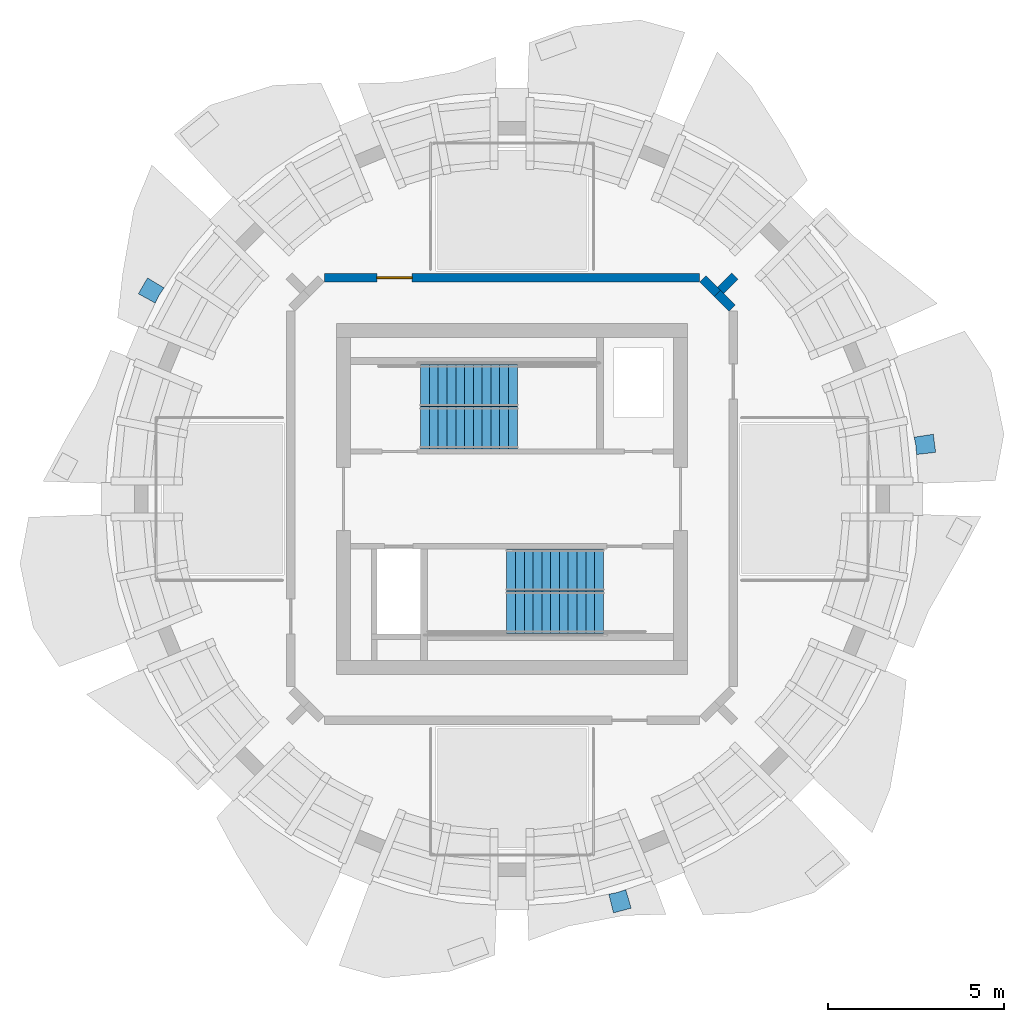
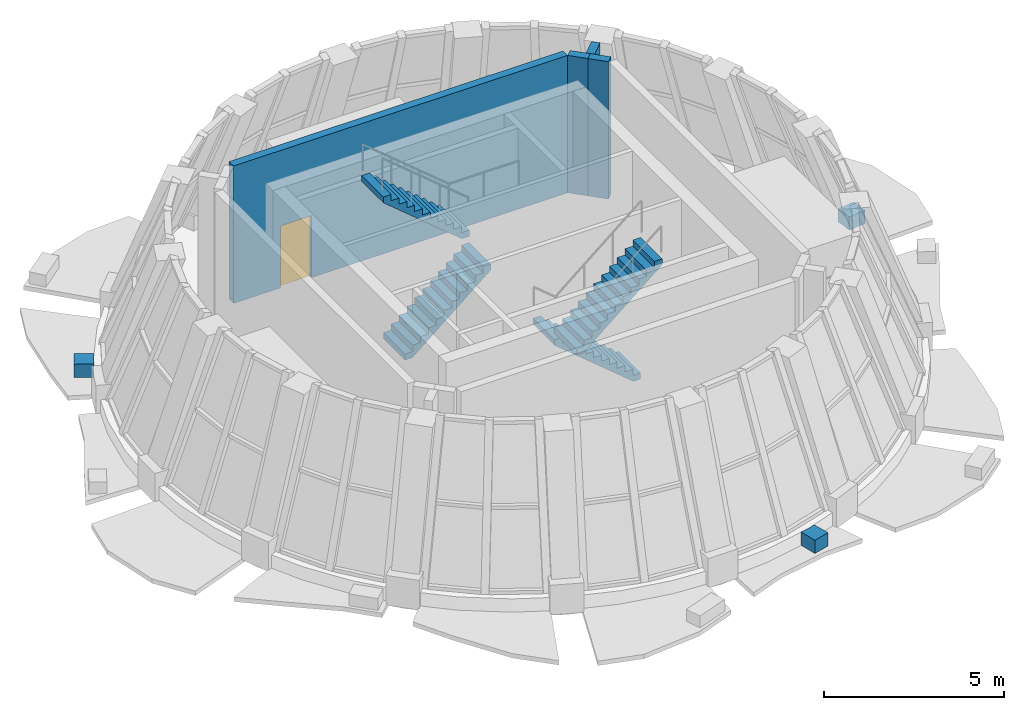
# One storey, part 6 of 9: 4 stair flights, 4 walls, 3 discrete accessories, 1 door, 1 opening, 2 elements without a shape of their own.
"""IFC4 building model written with IfcOpenShell, lengths in metres."""

import ifcopenshell
import ifcopenshell.guid

model = None  # the IFC model being written
_history = None  # IfcOwnerHistory: only IFC2X3 demands one
_inside = {}  # id of a spatial element -> (the spatial element, [elements in it])
_under = {}  # id of a project, library or spatial element -> (it, [spatial elements below it])
_declared = {}  # id of a project -> (the project, [libraries it declares])
_typed = {}  # id of a type object -> (the type object, [elements of that type])
_made_of = {}  # id of a material, layer set ... -> (it, [elements and type objects made of it])


def new_model(schema):
    """Start an empty IFC model of exactly this schema.

    Asked for "IFC4X3", IfcOpenShell would pick the latest addendum, in which some entities
    have other attributes; the version numbers below select the first issue.
    IFC2X3 requires an IfcOwnerHistory on every rooted entity: one is made here for all.
    """
    global model, _history
    if schema == "IFC4X3":
        model = ifcopenshell.file(schema_version=(4, 3, 0, 0))
    else:
        model = ifcopenshell.file(schema=schema)
    _inside.clear()
    _under.clear()
    _declared.clear()
    _typed.clear()
    _made_of.clear()
    _history = None
    if model.schema == "IFC2X3":
        org = make("IfcOrganization", Name="unknown")
        user = make(
            "IfcPersonAndOrganization",
            ThePerson=make("IfcPerson", FamilyName="unknown"),
            TheOrganization=org,
        )
        app = make(
            "IfcApplication",
            ApplicationDeveloper=org,
            Version="unknown",
            ApplicationFullName="unknown",
            ApplicationIdentifier="unknown",
        )
        _history = make(
            "IfcOwnerHistory",
            OwningUser=user,
            OwningApplication=app,
            ChangeAction="ADDED",
            CreationDate=0,
        )
    return model


def make(cls, **values):
    """One entity of the class cls with the attributes given. An attribute that is None is left unset."""
    return model.create_entity(
        cls, **{name: value for name, value in values.items() if value is not None}
    )


def rooted(cls, **values):
    """An entity with a GlobalId (a new one), such as an element, a storey or a relation."""
    return make(cls, GlobalId=ifcopenshell.guid.new(), OwnerHistory=_history, **values)


def si_unit(unit_type, name, prefix=None):
    """IfcSIUnit, for example si_unit("LENGTHUNIT", "METRE", prefix="MILLI")."""
    return make("IfcSIUnit", UnitType=unit_type, Prefix=prefix, Name=name)


def assignment(units):
    """IfcUnitAssignment: the units of a project."""
    return None if units is None else make("IfcUnitAssignment", Units=units)


def point(xyz):
    """IfcCartesianPoint."""
    return None if xyz is None else make("IfcCartesianPoint", Coordinates=xyz)


def direction(xyz):
    """IfcDirection."""
    return None if xyz is None else make("IfcDirection", DirectionRatios=xyz)


def frame(location, z_axis=None, x_axis=None):
    """IfcAxis2Placement3D, a coordinate frame: its origin and axes. An axis left out is left unset."""
    return make(
        "IfcAxis2Placement3D",
        Location=point(location),
        Axis=direction(z_axis),
        RefDirection=direction(x_axis),
    )


def frame_2d(location, x_axis=None):
    """IfcAxis2Placement2D, a coordinate frame in the plane: its origin and x axis."""
    return make(
        "IfcAxis2Placement2D", Location=point(location), RefDirection=direction(x_axis)
    )


def origin():
    """The frame at (0, 0, 0) with its axes left unset."""
    return frame((0.0, 0.0, 0.0))


def place(relative_to, where):
    """IfcLocalPlacement: puts the frame where relative to a parent placement (None: the world)."""
    return make(
        "IfcLocalPlacement", PlacementRelTo=relative_to, RelativePlacement=where
    )


def context(
    kind, dimensions, precision=None, world=None, true_north=None, identifier=None
):
    """IfcGeometricRepresentationContext, for example the 3D "Model" context."""
    return make(
        "IfcGeometricRepresentationContext",
        ContextIdentifier=identifier,
        ContextType=kind,
        CoordinateSpaceDimension=dimensions,
        Precision=precision,
        WorldCoordinateSystem=world,
        TrueNorth=true_north,
    )


def subcontext(parent, identifier, kind, view, scale=None):
    """IfcGeometricRepresentationSubContext, for example "Body" below "Model"."""
    return make(
        "IfcGeometricRepresentationSubContext",
        ContextIdentifier=identifier,
        ContextType=kind,
        ParentContext=parent,
        TargetScale=scale,
        TargetView=view,
    )


def project(units=None, contexts=None):
    """IfcProject with its units and contexts."""
    return rooted(
        "IfcProject",
        Name="project",
        RepresentationContexts=contexts,
        UnitsInContext=assignment(units),
    )


def spatial(cls, under=None, at=None, **own):
    """A site, building, storey or space (cls), placed at a placement, below another one or the project."""
    s = rooted(cls, ObjectPlacement=at, **own)
    if under is not None:
        _under.setdefault(under.id(), (under, []))[1].append(s)
    return s


def polyline(points):
    """IfcPolyline through the points."""
    return make("IfcPolyline", Points=[point(p) for p in points])


def profile(cls, at=None, kind="AREA", **sizes):
    """A parametric profile (cls). Its sizes go by their IFC names, for example OverallWidth=200.0."""
    return make(cls, ProfileType=kind, Position=at, **sizes)


def rectangle(**sizes):
    """IfcRectangleProfileDef."""
    return profile("IfcRectangleProfileDef", **sizes)


def outline(outer, holes=None, kind="AREA"):
    """IfcArbitraryClosedProfileDef: a profile drawn as a closed curve; with holes, ...WithVoids."""
    if holes is None:
        return make("IfcArbitraryClosedProfileDef", ProfileType=kind, OuterCurve=outer)
    return make(
        "IfcArbitraryProfileDefWithVoids",
        ProfileType=kind,
        OuterCurve=outer,
        InnerCurves=holes,
    )


def extrude(swept, where, along, depth):
    """IfcExtrudedAreaSolid: the profile swept, set in the frame where, extruded along a direction by depth."""
    return make(
        "IfcExtrudedAreaSolid",
        SweptArea=swept,
        Position=where,
        ExtrudedDirection=direction(along),
        Depth=depth,
    )


def shape(context_of_items, identifier, shape_type, items):
    """IfcShapeRepresentation: the items that make up one representation, for example the "Body"."""
    return make(
        "IfcShapeRepresentation",
        ContextOfItems=context_of_items,
        RepresentationIdentifier=identifier,
        RepresentationType=shape_type,
        Items=items,
    )


def material(Name=None, Category=None):
    """IfcMaterial."""
    return make("IfcMaterial", Name=Name, Category=Category)


def layer(
    of_material, thickness, ventilated=None, Name=None, Category=None, Priority=None
):
    """IfcMaterialLayer: one layer of a wall or slab, of a material (None: an air gap)."""
    return make(
        "IfcMaterialLayer",
        Material=of_material,
        LayerThickness=thickness,
        IsVentilated=ventilated,
        Name=Name,
        Category=Category,
        Priority=Priority,
    )


def layer_set(layers, Name=None):
    """IfcMaterialLayerSet."""
    return make("IfcMaterialLayerSet", MaterialLayers=layers, LayerSetName=Name)


def made_of(thing, what):
    """Note that an element or type object is made of a material, layer set ...; save() writes the relation."""
    if what is not None:
        _made_of.setdefault(what.id(), (what, []))[1].append(thing)
    return thing


def type_object(cls, material=None, **own):
    """A type object (cls), such as IfcWallType, which elements share."""
    return made_of(rooted(cls, **own), material)


def element(
    cls,
    number,
    at=None,
    inside=None,
    cuts=None,
    type_object=None,
    material=None,
    context=None,
    identifier="Body",
    shape_type=None,
    held_by="IfcProductDefinitionShape",
    body=None,
    shapes=None,
    **own,
):
    """One element of the class cls, such as IfcWall. Its Tag is "e" and its number.

    at: its placement. inside: the storey or other place that contains it. cuts: it is an
    opening in that element (IfcRelVoidsElement). A single representation is given by context,
    identifier, shape_type and body (its items); several are given by shapes. held_by: the class
    of the entity that holds the representations. save() writes the other relations.
    """
    e = rooted(cls, Tag="e%d" % number, ObjectPlacement=at, **own)
    if body is not None:
        shapes = [shape(context, identifier, shape_type, body)]
    if shapes is not None:
        e.Representation = make(held_by, Representations=shapes)
    if inside is not None:
        _inside.setdefault(inside.id(), (inside, []))[1].append(e)
    if cuts is not None:
        rooted(
            "IfcRelVoidsElement", RelatingBuildingElement=cuts, RelatedOpeningElement=e
        )
    if type_object is not None:
        _typed.setdefault(type_object.id(), (type_object, []))[1].append(e)
    return made_of(e, material)


def fill(opening, filler):
    """IfcRelFillsElement: the door or window that sits in an opening."""
    return rooted(
        "IfcRelFillsElement",
        RelatingOpeningElement=opening,
        RelatedBuildingElement=filler,
    )


def aggregate(whole, parts):
    """IfcRelAggregates: a whole, such as a stair, and the parts it consists of."""
    return rooted("IfcRelAggregates", RelatingObject=whole, RelatedObjects=parts)


def save(model, path):
    """Write the relations noted so far, then the file.

    IfcRelAggregates (storeys below a building ...), IfcRelContainedInSpatialStructure (elements
    in a storey), IfcRelDefinesByType, IfcRelAssociatesMaterial and IfcRelDeclares: one each for
    every whole, place, type object, material and project.
    """
    for whole, parts in _under.values():
        aggregate(whole, parts)
    for where, things in _inside.values():
        rooted(
            "IfcRelContainedInSpatialStructure",
            RelatedElements=things,
            RelatingStructure=where,
        )
    for kind, things in _typed.values():
        rooted("IfcRelDefinesByType", RelatedObjects=things, RelatingType=kind)
    for what, things in _made_of.values():
        rooted("IfcRelAssociatesMaterial", RelatedObjects=things, RelatingMaterial=what)
    for by, libraries in _declared.values():
        rooted("IfcRelDeclares", RelatingContext=by, RelatedDefinitions=libraries)
    model.write(path)


model = new_model("IFC4")

# Units and contexts
model_context = context("Model", 3, precision=1e-05, world=origin(), true_north=direction((0.0, 1.0)))
body_context = subcontext(model_context, "Body", "Model", "MODEL_VIEW")
ifc_project = project(units=[si_unit("LENGTHUNIT", "METRE"), si_unit("AREAUNIT", "SQUARE_METRE"), si_unit("VOLUMEUNIT", "CUBIC_METRE"), si_unit("PLANEANGLEUNIT", "RADIAN"), si_unit("MASSUNIT", "GRAM", prefix="KILO")], contexts=[model_context])

# Site, building, storey
site_placement = place(None, origin())
site = spatial("IfcSite", under=ifc_project, at=site_placement, CompositionType="ELEMENT")
building_placement = place(site_placement, origin())
building = spatial("IfcBuilding", under=site, at=building_placement, Name="Polderwave Tower", CompositionType="ELEMENT")
storey_placement = place(building_placement, frame((0.0, 0.0, 239.39990234375)))
storey = spatial("IfcBuildingStorey", under=building, at=storey_placement, Name="L65", CompositionType="ELEMENT", Elevation=239.39990234375)

# Wall
ifc_material_1 = material(Name="Fire-resisting board on steel studs, mineral wool", Category="steel")
ifc_layer = layer(ifc_material_1, 0.25)
ifc_layer_set = layer_set([ifc_layer], Name="Plant room wall 250 mm EI 120")
wall_type = type_object("IfcWallType", Name="Plant room wall 250 mm EI 120", PredefinedType="PARTITIONING", material=ifc_layer_set)
wall_1_placement = place(storey_placement, frame((5.848388671875, 5.848388671875, 0.0), z_axis=(0.0, 0.0, 1.0), x_axis=(0.707314784344, -0.706898716824, 0.0)))
element("IfcWall", 1, at=wall_1_placement, inside=storey, type_object=wall_type, Name="IN-L65-W001", PredefinedType="PARTITIONING", context=body_context, shape_type="SweptSolid", body=[
    extrude(rectangle(XDim=0.586669921875, YDim=0.25, at=frame_2d((0.29345703125, 0.0))), origin(), (0.0, 0.0, 1.0), 4.650146484375),
])

# Wall, opening, door
wall_2_placement = place(storey_placement, frame((-5.34521484375, 6.300048828125, 0.0), z_axis=(0.0, 0.0, 1.0), x_axis=(1.0, 0.0, 0.0)))
wall_2 = element("IfcWall", 2, at=wall_2_placement, inside=storey, type_object=wall_type, Name="IN-L65-W005", PredefinedType="PARTITIONING", context=body_context, shape_type="SweptSolid", body=[
    extrude(rectangle(XDim=10.6904296875, YDim=0.25, at=frame_2d((5.34521484375, 0.0))), origin(), (0.0, 0.0, 1.0), 4.650146484375),
])
opening_placement = place(wall_2_placement, frame((1.5, 0.0, 0.0)))
opening = element("IfcOpeningElement", 3, at=opening_placement, cuts=wall_2, Name="Opening L65-D51", PredefinedType="OPENING", context=body_context, shape_type="SweptSolid", body=[
    extrude(rectangle(XDim=1.0, YDim=2.10009765625, at=frame_2d((0.5, 1.050048828125))), frame((0.0, 0.135009765625, 0.0), z_axis=(0.0, -1.0, 0.0), x_axis=(1.0, 0.0, 0.0)), (0.0, 0.0, 1.0), 0.27001953125),
])
ifc_material_2 = material(Name="Steel plant door leaf", Category="steel")
door_type = type_object("IfcDoorType", Name="Plant door FD60 1000 x 2100 steel", OperationType="NOTDEFINED", PredefinedType="DOOR", material=ifc_material_2)
door_placement = place(opening_placement, origin())
door = element("IfcDoor", 4, at=door_placement, inside=storey, type_object=door_type, Name="Door L65-D51", OperationType="SINGLE_SWING_LEFT", OverallHeight=2.10009765625, OverallWidth=1.0, PredefinedType="DOOR", context=body_context, shape_type="SweptSolid", body=[
    extrude(rectangle(XDim=1.0, YDim=2.10009765625, at=frame_2d((0.5, 1.050048828125))), frame((0.0, 0.02490234375, 0.0), z_axis=(0.0, -1.0, 0.0), x_axis=(1.0, 0.0, 0.0)), (0.0, 0.0, 1.0), 0.050048828125),
])
fill(opening, door)

# Walls
wall_3_placement = place(storey_placement, frame((5.43359375, 6.263427734375, 0.0), z_axis=(0.0, 0.0, 1.0), x_axis=(0.706898716824, -0.707314784344, 0.0)))
element("IfcWall", 5, at=wall_3_placement, inside=storey, type_object=wall_type, Name="IN-L65-W006", PredefinedType="PARTITIONING", context=body_context, shape_type="SweptSolid", body=[
    extrude(rectangle(XDim=0.586669921875, YDim=0.25, at=frame_2d((0.29345703125, 0.0))), origin(), (0.0, 0.0, 1.0), 4.650146484375),
])
wall_4_placement = place(storey_placement, frame((5.93701171875, 5.93701171875, 0.0), z_axis=(0.0, 0.0, 1.0), x_axis=(0.707106781187, 0.707106781187, 0.0)))
element("IfcWall", 6, at=wall_4_placement, inside=storey, type_object=wall_type, Name="IN-L65-W013", PredefinedType="PARTITIONING", context=body_context, shape_type="SweptSolid", body=[
    extrude(rectangle(XDim=0.57373046875, YDim=0.25, at=frame_2d((0.286865234375, 0.0))), origin(), (0.0, 0.0, 1.0), 4.650146484375),
])

# Stair, stair flights
ifc_material_3 = material(Name="Concrete C40/50", Category="concrete")
stair_type = type_object("IfcStairType", Name="Exit stair 1200 x 24 risers", PredefinedType="HALF_TURN_STAIR", material=ifc_material_3)
stair_1_placement = place(storey_placement, origin())
stair_1 = element("IfcStair", 7, at=stair_1_placement, inside=storey, type_object=stair_type, Name="L65 Exit stair S1", PredefinedType="HALF_TURN_STAIR")
stair_flight_type = type_object("IfcStairFlightType", Name="Stair flight 1200", PredefinedType="STRAIGHT", material=ifc_material_3)
stair_flight_1_placement = place(storey_placement, frame((-2.60009765625, 2.02490234375, 0.0), z_axis=(0.0, 0.0, 1.0), x_axis=(1.0, 0.0, 0.0)))
stair_flight_1 = element("IfcStairFlight", 8, at=stair_flight_1_placement, type_object=stair_flight_type, Name="ST-S1 flight 1", NumberOfRisers=12, NumberOfTreads=11, PredefinedType="STRAIGHT", RiserHeight=0.208333333, TreadLength=0.25, context=body_context, shape_type="SweptSolid", body=[
    extrude(outline(polyline([(0.0, 0.0), (0.0, 0.208251953125), (0.25, 0.208251953125), (0.25, 0.416748046875), (0.5, 0.416748046875), (0.5, 0.625), (0.75, 0.625), (0.75, 0.833251953125), (1.0, 0.833251953125), (1.0, 1.041748046875), (1.25, 1.041748046875), (1.25, 1.25), (1.5, 1.25), (1.5, 1.458251953125), (1.75, 1.458251953125), (1.75, 1.666748046875), (2.0, 1.666748046875), (2.0, 1.875), (2.25, 1.875), (2.25, 2.083251953125), (2.5, 2.083251953125), (2.5, 2.291748046875), (2.75, 2.291748046875), (2.75, 2.5), (2.75, 2.096435546875), (0.234130859375, 0.0), (0.0, 0.0)])), frame((0.0, 0.60009765625, 0.0), z_axis=(0.0, -1.0, 0.0), x_axis=(1.0, 0.0, 0.0)), (0.0, 0.0, 1.0), 1.199951171875),
])
stair_flight_2_placement = place(storey_placement, frame((0.14990234375, 3.22509765625, 2.5), z_axis=(0.0, 0.0, 1.0), x_axis=(-1.0, 0.0, 0.0)))
stair_flight_2 = element("IfcStairFlight", 9, at=stair_flight_2_placement, type_object=stair_flight_type, Name="ST-S1 flight 2", NumberOfRisers=12, NumberOfTreads=11, PredefinedType="STRAIGHT", RiserHeight=0.208333333, TreadLength=0.25, context=body_context, shape_type="SweptSolid", body=[
    extrude(outline(polyline([(0.0, 0.0), (0.0, 0.208251953125), (0.25, 0.208251953125), (0.25, 0.416748046875), (0.5, 0.416748046875), (0.5, 0.625), (0.75, 0.625), (0.75, 0.833251953125), (1.0, 0.833251953125), (1.0, 1.041748046875), (1.25, 1.041748046875), (1.25, 1.25), (1.5, 1.25), (1.5, 1.458251953125), (1.75, 1.458251953125), (1.75, 1.666748046875), (2.0, 1.666748046875), (2.0, 1.875), (2.25, 1.875), (2.25, 2.083251953125), (2.5, 2.083251953125), (2.5, 2.291748046875), (2.75, 2.291748046875), (2.75, 2.5), (2.75, 2.096435546875), (0.234130859375, 0.0), (0.0, 0.0)])), frame((0.0, 0.60009765625, 0.0), z_axis=(0.0, -1.0, 0.0), x_axis=(1.0, 0.0, 0.0)), (0.0, 0.0, 1.0), 1.199951171875),
])
aggregate(stair_1, [stair_flight_1, stair_flight_2])

stair_2_placement = place(storey_placement, origin())
stair_2 = element("IfcStair", 10, at=stair_2_placement, inside=storey, type_object=stair_type, Name="L65 Exit stair S2", PredefinedType="HALF_TURN_STAIR")
stair_flight_3_placement = place(storey_placement, frame((2.60009765625, -2.02490234375, 0.0), z_axis=(0.0, 0.0, 1.0), x_axis=(-1.0, 0.0, 0.0)))
stair_flight_3 = element("IfcStairFlight", 11, at=stair_flight_3_placement, type_object=stair_flight_type, Name="ST-S2 flight 1", NumberOfRisers=12, NumberOfTreads=11, PredefinedType="STRAIGHT", RiserHeight=0.208333333, TreadLength=0.25, context=body_context, shape_type="SweptSolid", body=[
    extrude(outline(polyline([(0.0, 0.0), (0.0, 0.208251953125), (0.25, 0.208251953125), (0.25, 0.416748046875), (0.5, 0.416748046875), (0.5, 0.625), (0.75, 0.625), (0.75, 0.833251953125), (1.0, 0.833251953125), (1.0, 1.041748046875), (1.25, 1.041748046875), (1.25, 1.25), (1.5, 1.25), (1.5, 1.458251953125), (1.75, 1.458251953125), (1.75, 1.666748046875), (2.0, 1.666748046875), (2.0, 1.875), (2.25, 1.875), (2.25, 2.083251953125), (2.5, 2.083251953125), (2.5, 2.291748046875), (2.75, 2.291748046875), (2.75, 2.5), (2.75, 2.096435546875), (0.234130859375, 0.0), (0.0, 0.0)])), frame((0.0, 0.60009765625, 0.0), z_axis=(0.0, -1.0, 0.0), x_axis=(1.0, 0.0, 0.0)), (0.0, 0.0, 1.0), 1.199951171875),
])
stair_flight_4_placement = place(storey_placement, frame((-0.14990234375, -3.22509765625, 2.5), z_axis=(0.0, 0.0, 1.0), x_axis=(1.0, 0.0, 0.0)))
stair_flight_4 = element("IfcStairFlight", 12, at=stair_flight_4_placement, type_object=stair_flight_type, Name="ST-S2 flight 2", NumberOfRisers=12, NumberOfTreads=11, PredefinedType="STRAIGHT", RiserHeight=0.208333333, TreadLength=0.25, context=body_context, shape_type="SweptSolid", body=[
    extrude(outline(polyline([(0.0, 0.0), (0.0, 0.208251953125), (0.25, 0.208251953125), (0.25, 0.416748046875), (0.5, 0.416748046875), (0.5, 0.625), (0.75, 0.625), (0.75, 0.833251953125), (1.0, 0.833251953125), (1.0, 1.041748046875), (1.25, 1.041748046875), (1.25, 1.25), (1.5, 1.25), (1.5, 1.458251953125), (1.75, 1.458251953125), (1.75, 1.666748046875), (2.0, 1.666748046875), (2.0, 1.875), (2.25, 1.875), (2.25, 2.083251953125), (2.5, 2.083251953125), (2.5, 2.291748046875), (2.75, 2.291748046875), (2.75, 2.5), (2.75, 2.096435546875), (0.234130859375, 0.0), (0.0, 0.0)])), frame((0.0, 0.60009765625, 0.0), z_axis=(0.0, -1.0, 0.0), x_axis=(1.0, 0.0, 0.0)), (0.0, 0.0, 1.0), 1.199951171875),
])
aggregate(stair_2, [stair_flight_3, stair_flight_4])

# Discrete accessories
ifc_material_4 = material(Name="Steel S355", Category="steel")
discrete_accessory_type = type_object("IfcDiscreteAccessoryType", Name="Band bracket pad", PredefinedType="BRACKET", material=ifc_material_4)
discrete_accessory_1_placement = place(storey_placement, frame((0.0, 0.0, -0.449951171875)))
element("IfcDiscreteAccessory", 13, at=discrete_accessory_1_placement, inside=storey, type_object=discrete_accessory_type, Name="Band bracket L65 1", PredefinedType="BRACKET", context=body_context, shape_type="SweptSolid", body=[
    extrude(outline(polyline([(11.51708984375, 1.2646484375), (11.500732421875, 1.51416015625), (11.451904296875, 1.75927734375), (11.99560546875, 1.8427734375), (12.063720703125, 1.32470703125), (11.51708984375, 1.2646484375)])), origin(), (0.0, 0.0, 1.0), 0.449951171875),
])
discrete_accessory_2_placement = place(storey_placement, frame((0.0, 0.0, -0.449951171875)))
element("IfcDiscreteAccessory", 14, at=discrete_accessory_2_placement, inside=storey, type_object=discrete_accessory_type, Name="Band bracket L65 7", PredefinedType="BRACKET", context=body_context, shape_type="SweptSolid", body=[
    extrude(outline(polyline([(-9.906982421875, 6.0078125), (-10.0458984375, 5.800048828125), (-10.156494140625, 5.57568359375), (-10.638671875, 5.840576171875), (-10.377197265625, 6.293212890625), (-9.906982421875, 6.0078125)])), origin(), (0.0, 0.0, 1.0), 0.449951171875),
])
discrete_accessory_3_placement = place(storey_placement, frame((0.0, 0.0, -0.449951171875)))
element("IfcDiscreteAccessory", 15, at=discrete_accessory_3_placement, inside=storey, type_object=discrete_accessory_type, Name="Band bracket L65 13", PredefinedType="BRACKET", context=body_context, shape_type="SweptSolid", body=[
    extrude(outline(polyline([(2.757080078125, -11.25341796875), (3.002197265625, -11.20458984375), (3.239013671875, -11.12451171875), (3.392822265625, -11.652587890625), (2.887939453125, -11.78759765625), (2.757080078125, -11.25341796875)])), origin(), (0.0, 0.0, 1.0), 0.449951171875),
])

save(model, "model.ifc")
